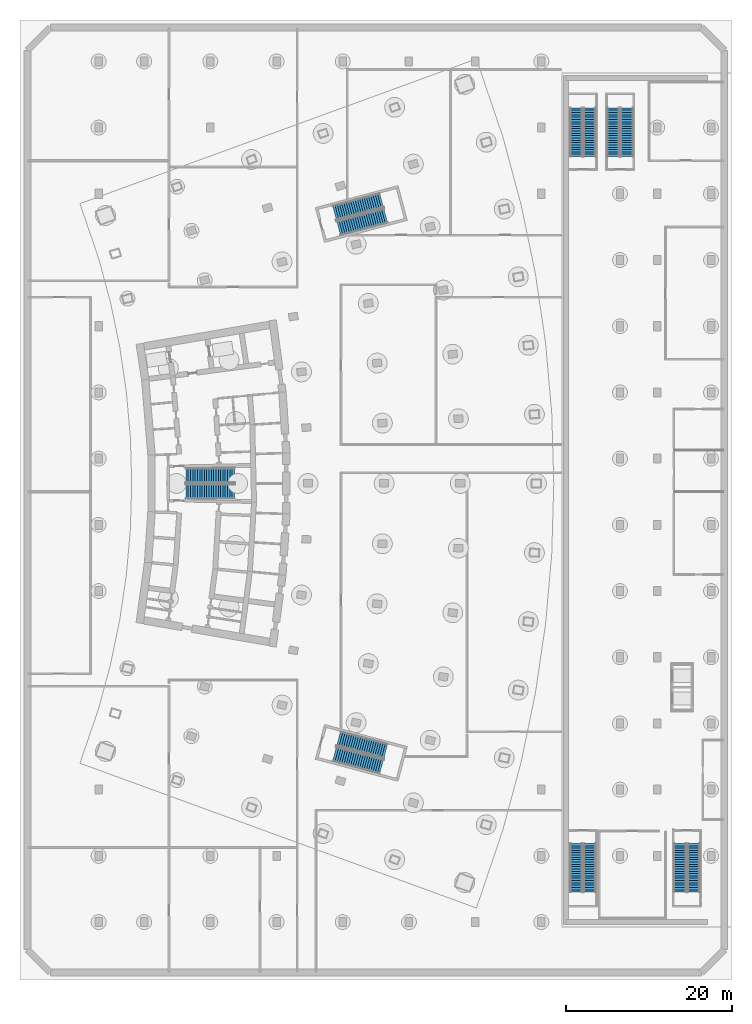
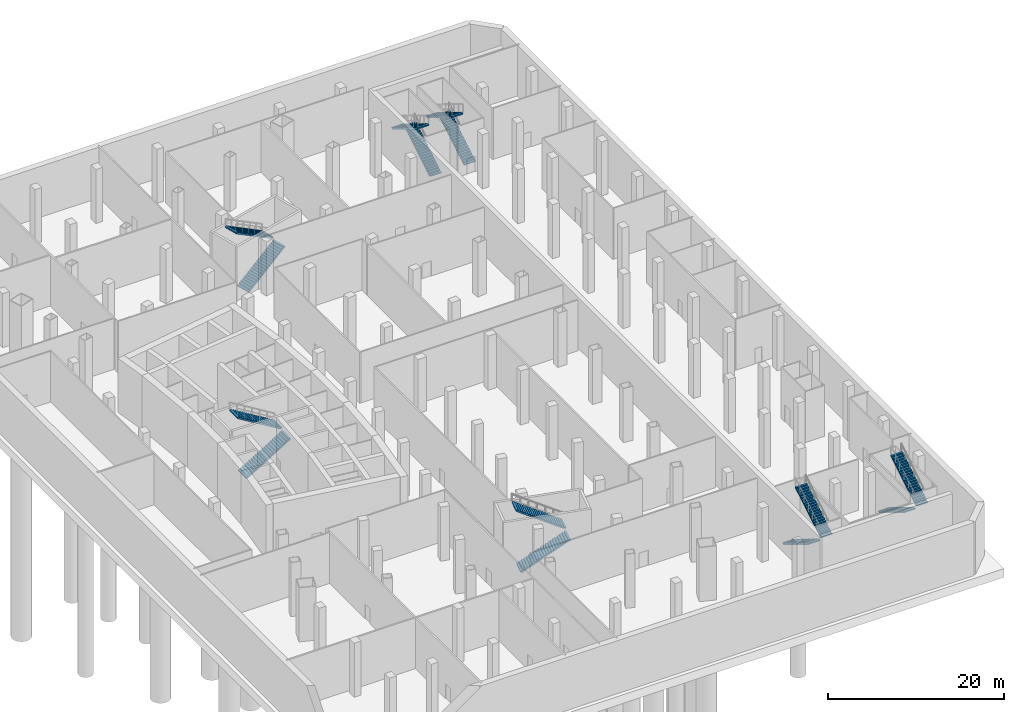
# One storey, part 14 of 19: 14 stair flights, 7 elements without a shape of their own.
"""IFC4 building model written with IfcOpenShell, lengths in metres."""

from ifc_helpers import new_model, si_unit, direction, frame, origin, place, context, subcontext, project, spatial, polyline, outline, extrude, material, layer, layer_set, type_object, element, aggregate, save


model = new_model("IFC4")

# Units and contexts
model_context = context("Model", 3, precision=1e-05, world=origin(), true_north=direction((0.0, 1.0)))
body_context = subcontext(model_context, "Body", "Model", "MODEL_VIEW")
ifc_project = project(units=[si_unit("LENGTHUNIT", "METRE"), si_unit("AREAUNIT", "SQUARE_METRE"), si_unit("VOLUMEUNIT", "CUBIC_METRE"), si_unit("PLANEANGLEUNIT", "RADIAN"), si_unit("MASSUNIT", "GRAM", prefix="KILO")], contexts=[model_context])

# Site, building, storey
site_placement = place(None, origin())
site = spatial("IfcSite", under=ifc_project, at=site_placement, CompositionType="ELEMENT")
building_placement = place(site_placement, origin())
building = spatial("IfcBuilding", under=site, at=building_placement, Name="Alderwake Tower", CompositionType="ELEMENT")
storey_placement = place(building_placement, frame((0.0, 0.0, -14.0)))
storey = spatial("IfcBuildingStorey", under=building, at=storey_placement, Name="B2", CompositionType="ELEMENT", Elevation=-14.0)

# Stair, stair flights
ifc_material_1 = material(Name="Concrete C40/50", Category="concrete")
stair_type_1 = type_object("IfcStairType", Name="Core exit stair", PredefinedType="HALF_TURN_STAIR", material=ifc_material_1)
stair_1_placement = place(storey_placement, origin())
stair_1 = element("IfcStair", 1, at=stair_1_placement, inside=storey, type_object=stair_type_1, Name="B2 Exit Stair B", PredefinedType="HALF_TURN_STAIR")
ifc_material_2 = material(Name="Concrete C40/50", Category="concrete")
ifc_layer = layer(ifc_material_2, 0.14990234375)
ifc_layer_set = layer_set([ifc_layer], Name="Core stair flight")
stair_flight_type = type_object("IfcStairFlightType", Name="Core stair flight", PredefinedType="STRAIGHT", material=ifc_layer_set)
stair_flight_1_placement = place(storey_placement, frame((21.0400390625, 60.02490234375, 0.0), z_axis=(0.0, 0.0, 1.0), x_axis=(1.0, 0.0, 0.0)))
stair_flight_1 = element("IfcStairFlight", 2, at=stair_flight_1_placement, type_object=stair_flight_type, Name="ST-B flight 1", NumberOfRisers=22, NumberOfTreads=21, PredefinedType="STRAIGHT", RiserHeight=0.170454545, TreadLength=0.28, context=body_context, shape_type="SweptSolid", body=[
    extrude(outline(polyline([(0.0, 0.0), (0.0, 0.17041015625), (0.280029296875, 0.17041015625), (0.280029296875, 0.3408203125), (0.56005859375, 0.3408203125), (0.56005859375, 0.511474609375), (0.840087890625, 0.511474609375), (0.840087890625, 0.681884765625), (1.1201171875, 0.681884765625), (1.1201171875, 0.852294921875), (1.39990234375, 0.852294921875), (1.39990234375, 1.022705078125), (1.679931640625, 1.022705078125), (1.679931640625, 1.193115234375), (1.9599609375, 1.193115234375), (1.9599609375, 1.363525390625), (2.239990234375, 1.363525390625), (2.239990234375, 1.5341796875), (2.52001953125, 1.5341796875), (2.52001953125, 1.70458984375), (2.800048828125, 1.70458984375), (2.800048828125, 1.875), (3.080078125, 1.875), (3.080078125, 2.04541015625), (3.360107421875, 2.04541015625), (3.360107421875, 2.2158203125), (3.639892578125, 2.2158203125), (3.639892578125, 2.386474609375), (3.919921875, 2.386474609375), (3.919921875, 2.556884765625), (4.199951171875, 2.556884765625), (4.199951171875, 2.727294921875), (4.47998046875, 2.727294921875), (4.47998046875, 2.897705078125), (4.760009765625, 2.897705078125), (4.760009765625, 3.068115234375), (5.0400390625, 3.068115234375), (5.0400390625, 3.238525390625), (5.320068359375, 3.238525390625), (5.320068359375, 3.4091796875), (5.60009765625, 3.4091796875), (5.60009765625, 3.57958984375), (5.8798828125, 3.57958984375), (5.8798828125, 3.75), (5.8798828125, 3.404052734375), (0.288330078125, 0.0), (0.0, 0.0)])), frame((0.0, 0.89990234375, 0.0), z_axis=(0.0, -1.0, 0.0), x_axis=(1.0, 0.0, 0.0)), (0.0, 0.0, 1.0), 1.800048828125),
])
stair_flight_2_placement = place(storey_placement, frame((26.919921875, 61.97509765625, 3.75), z_axis=(0.0, 0.0, 1.0), x_axis=(-1.0, 0.0, 0.0)))
stair_flight_2 = element("IfcStairFlight", 3, at=stair_flight_2_placement, type_object=stair_flight_type, Name="ST-B flight 2", NumberOfRisers=22, NumberOfTreads=21, PredefinedType="STRAIGHT", RiserHeight=0.170454545, TreadLength=0.28, context=body_context, shape_type="SweptSolid", body=[
    extrude(outline(polyline([(0.0, 0.0), (0.0, 0.17041015625), (0.280029296875, 0.17041015625), (0.280029296875, 0.3408203125), (0.56005859375, 0.3408203125), (0.56005859375, 0.511474609375), (0.840087890625, 0.511474609375), (0.840087890625, 0.681884765625), (1.1201171875, 0.681884765625), (1.1201171875, 0.852294921875), (1.39990234375, 0.852294921875), (1.39990234375, 1.022705078125), (1.679931640625, 1.022705078125), (1.679931640625, 1.193115234375), (1.9599609375, 1.193115234375), (1.9599609375, 1.363525390625), (2.239990234375, 1.363525390625), (2.239990234375, 1.5341796875), (2.52001953125, 1.5341796875), (2.52001953125, 1.70458984375), (2.800048828125, 1.70458984375), (2.800048828125, 1.875), (3.080078125, 1.875), (3.080078125, 2.04541015625), (3.360107421875, 2.04541015625), (3.360107421875, 2.2158203125), (3.639892578125, 2.2158203125), (3.639892578125, 2.386474609375), (3.919921875, 2.386474609375), (3.919921875, 2.556884765625), (4.199951171875, 2.556884765625), (4.199951171875, 2.727294921875), (4.47998046875, 2.727294921875), (4.47998046875, 2.897705078125), (4.760009765625, 2.897705078125), (4.760009765625, 3.068115234375), (5.0400390625, 3.068115234375), (5.0400390625, 3.238525390625), (5.320068359375, 3.238525390625), (5.320068359375, 3.4091796875), (5.60009765625, 3.4091796875), (5.60009765625, 3.57958984375), (5.8798828125, 3.57958984375), (5.8798828125, 3.75), (5.8798828125, 3.404052734375), (0.288330078125, 0.0), (0.0, 0.0)])), frame((0.0, 0.89990234375, 0.0), z_axis=(0.0, -1.0, 0.0), x_axis=(1.0, 0.0, 0.0)), (0.0, 0.0, 1.0), 1.800048828125),
])
aggregate(stair_1, [stair_flight_1, stair_flight_2])

stair_2_placement = place(storey_placement, origin())
stair_2 = element("IfcStair", 4, at=stair_2_placement, inside=storey, type_object=stair_type_1, Name="B2 Exit Stair A", PredefinedType="HALF_TURN_STAIR")
stair_flight_3_placement = place(storey_placement, frame((39.512939453125, 91.823974609375, 0.0), z_axis=(0.0, 0.0, 1.0), x_axis=(0.966309627437, 0.257382407951, 0.0)))
stair_flight_3 = element("IfcStairFlight", 5, at=stair_flight_3_placement, type_object=stair_flight_type, Name="ST-A flight 1", NumberOfRisers=22, NumberOfTreads=21, PredefinedType="STRAIGHT", RiserHeight=0.170454545, TreadLength=0.28, context=body_context, shape_type="SweptSolid", body=[
    extrude(outline(polyline([(0.0, 0.0), (0.0, 0.17041015625), (0.280029296875, 0.17041015625), (0.280029296875, 0.3408203125), (0.56005859375, 0.3408203125), (0.56005859375, 0.511474609375), (0.840087890625, 0.511474609375), (0.840087890625, 0.681884765625), (1.1201171875, 0.681884765625), (1.1201171875, 0.852294921875), (1.39990234375, 0.852294921875), (1.39990234375, 1.022705078125), (1.679931640625, 1.022705078125), (1.679931640625, 1.193115234375), (1.9599609375, 1.193115234375), (1.9599609375, 1.363525390625), (2.239990234375, 1.363525390625), (2.239990234375, 1.5341796875), (2.52001953125, 1.5341796875), (2.52001953125, 1.70458984375), (2.800048828125, 1.70458984375), (2.800048828125, 1.875), (3.080078125, 1.875), (3.080078125, 2.04541015625), (3.360107421875, 2.04541015625), (3.360107421875, 2.2158203125), (3.639892578125, 2.2158203125), (3.639892578125, 2.386474609375), (3.919921875, 2.386474609375), (3.919921875, 2.556884765625), (4.199951171875, 2.556884765625), (4.199951171875, 2.727294921875), (4.47998046875, 2.727294921875), (4.47998046875, 2.897705078125), (4.760009765625, 2.897705078125), (4.760009765625, 3.068115234375), (5.0400390625, 3.068115234375), (5.0400390625, 3.238525390625), (5.320068359375, 3.238525390625), (5.320068359375, 3.4091796875), (5.60009765625, 3.4091796875), (5.60009765625, 3.57958984375), (5.8798828125, 3.57958984375), (5.8798828125, 3.75), (5.8798828125, 3.404052734375), (0.288330078125, 0.0), (0.0, 0.0)])), frame((0.0, 0.89990234375, 0.0), z_axis=(0.0, -1.0, 0.0), x_axis=(1.0, 0.0, 0.0)), (0.0, 0.0, 1.0), 1.800048828125),
])
stair_flight_4_placement = place(storey_placement, frame((44.69287109375, 95.2216796875, 3.75), z_axis=(0.0, 0.0, 1.0), x_axis=(-0.966309627437, -0.257382407951, 0.0)))
stair_flight_4 = element("IfcStairFlight", 6, at=stair_flight_4_placement, type_object=stair_flight_type, Name="ST-A flight 2", NumberOfRisers=22, NumberOfTreads=21, PredefinedType="STRAIGHT", RiserHeight=0.170454545, TreadLength=0.28, context=body_context, shape_type="SweptSolid", body=[
    extrude(outline(polyline([(0.0, 0.0), (0.0, 0.17041015625), (0.280029296875, 0.17041015625), (0.280029296875, 0.3408203125), (0.56005859375, 0.3408203125), (0.56005859375, 0.511474609375), (0.840087890625, 0.511474609375), (0.840087890625, 0.681884765625), (1.1201171875, 0.681884765625), (1.1201171875, 0.852294921875), (1.39990234375, 0.852294921875), (1.39990234375, 1.022705078125), (1.679931640625, 1.022705078125), (1.679931640625, 1.193115234375), (1.9599609375, 1.193115234375), (1.9599609375, 1.363525390625), (2.239990234375, 1.363525390625), (2.239990234375, 1.5341796875), (2.52001953125, 1.5341796875), (2.52001953125, 1.70458984375), (2.800048828125, 1.70458984375), (2.800048828125, 1.875), (3.080078125, 1.875), (3.080078125, 2.04541015625), (3.360107421875, 2.04541015625), (3.360107421875, 2.2158203125), (3.639892578125, 2.2158203125), (3.639892578125, 2.386474609375), (3.919921875, 2.386474609375), (3.919921875, 2.556884765625), (4.199951171875, 2.556884765625), (4.199951171875, 2.727294921875), (4.47998046875, 2.727294921875), (4.47998046875, 2.897705078125), (4.760009765625, 2.897705078125), (4.760009765625, 3.068115234375), (5.0400390625, 3.068115234375), (5.0400390625, 3.238525390625), (5.320068359375, 3.238525390625), (5.320068359375, 3.4091796875), (5.60009765625, 3.4091796875), (5.60009765625, 3.57958984375), (5.8798828125, 3.57958984375), (5.8798828125, 3.75), (5.8798828125, 3.404052734375), (0.288330078125, 0.0), (0.0, 0.0)])), frame((0.0, 0.89990234375, 0.0), z_axis=(0.0, -1.0, 0.0), x_axis=(1.0, 0.0, 0.0)), (0.0, 0.0, 1.0), 1.800048828125),
])
aggregate(stair_2, [stair_flight_3, stair_flight_4])

stair_3_placement = place(storey_placement, origin())
stair_3 = element("IfcStair", 7, at=stair_3_placement, inside=storey, type_object=stair_type_1, Name="B2 Exit Stair C", PredefinedType="HALF_TURN_STAIR")
stair_flight_5_placement = place(storey_placement, frame((39.010986328125, 28.291748046875, 0.0), z_axis=(0.0, 0.0, 1.0), x_axis=(0.966309627437, -0.257382407951, 0.0)))
stair_flight_5 = element("IfcStairFlight", 8, at=stair_flight_5_placement, type_object=stair_flight_type, Name="ST-C flight 1", NumberOfRisers=22, NumberOfTreads=21, PredefinedType="STRAIGHT", RiserHeight=0.170454545, TreadLength=0.28, context=body_context, shape_type="SweptSolid", body=[
    extrude(outline(polyline([(0.0, 0.0), (0.0, 0.17041015625), (0.280029296875, 0.17041015625), (0.280029296875, 0.3408203125), (0.56005859375, 0.3408203125), (0.56005859375, 0.511474609375), (0.840087890625, 0.511474609375), (0.840087890625, 0.681884765625), (1.1201171875, 0.681884765625), (1.1201171875, 0.852294921875), (1.39990234375, 0.852294921875), (1.39990234375, 1.022705078125), (1.679931640625, 1.022705078125), (1.679931640625, 1.193115234375), (1.9599609375, 1.193115234375), (1.9599609375, 1.363525390625), (2.239990234375, 1.363525390625), (2.239990234375, 1.5341796875), (2.52001953125, 1.5341796875), (2.52001953125, 1.70458984375), (2.800048828125, 1.70458984375), (2.800048828125, 1.875), (3.080078125, 1.875), (3.080078125, 2.04541015625), (3.360107421875, 2.04541015625), (3.360107421875, 2.2158203125), (3.639892578125, 2.2158203125), (3.639892578125, 2.386474609375), (3.919921875, 2.386474609375), (3.919921875, 2.556884765625), (4.199951171875, 2.556884765625), (4.199951171875, 2.727294921875), (4.47998046875, 2.727294921875), (4.47998046875, 2.897705078125), (4.760009765625, 2.897705078125), (4.760009765625, 3.068115234375), (5.0400390625, 3.068115234375), (5.0400390625, 3.238525390625), (5.320068359375, 3.238525390625), (5.320068359375, 3.4091796875), (5.60009765625, 3.4091796875), (5.60009765625, 3.57958984375), (5.8798828125, 3.57958984375), (5.8798828125, 3.75), (5.8798828125, 3.404052734375), (0.288330078125, 0.0), (0.0, 0.0)])), frame((0.0, 0.89990234375, 0.0), z_axis=(0.0, -1.0, 0.0), x_axis=(1.0, 0.0, 0.0)), (0.0, 0.0, 1.0), 1.800048828125),
])
stair_flight_6_placement = place(storey_placement, frame((45.19482421875, 28.66259765625, 3.75), z_axis=(0.0, 0.0, 1.0), x_axis=(-0.966309627437, 0.257382407951, 0.0)))
stair_flight_6 = element("IfcStairFlight", 9, at=stair_flight_6_placement, type_object=stair_flight_type, Name="ST-C flight 2", NumberOfRisers=22, NumberOfTreads=21, PredefinedType="STRAIGHT", RiserHeight=0.170454545, TreadLength=0.28, context=body_context, shape_type="SweptSolid", body=[
    extrude(outline(polyline([(0.0, 0.0), (0.0, 0.17041015625), (0.280029296875, 0.17041015625), (0.280029296875, 0.3408203125), (0.56005859375, 0.3408203125), (0.56005859375, 0.511474609375), (0.840087890625, 0.511474609375), (0.840087890625, 0.681884765625), (1.1201171875, 0.681884765625), (1.1201171875, 0.852294921875), (1.39990234375, 0.852294921875), (1.39990234375, 1.022705078125), (1.679931640625, 1.022705078125), (1.679931640625, 1.193115234375), (1.9599609375, 1.193115234375), (1.9599609375, 1.363525390625), (2.239990234375, 1.363525390625), (2.239990234375, 1.5341796875), (2.52001953125, 1.5341796875), (2.52001953125, 1.70458984375), (2.800048828125, 1.70458984375), (2.800048828125, 1.875), (3.080078125, 1.875), (3.080078125, 2.04541015625), (3.360107421875, 2.04541015625), (3.360107421875, 2.2158203125), (3.639892578125, 2.2158203125), (3.639892578125, 2.386474609375), (3.919921875, 2.386474609375), (3.919921875, 2.556884765625), (4.199951171875, 2.556884765625), (4.199951171875, 2.727294921875), (4.47998046875, 2.727294921875), (4.47998046875, 2.897705078125), (4.760009765625, 2.897705078125), (4.760009765625, 3.068115234375), (5.0400390625, 3.068115234375), (5.0400390625, 3.238525390625), (5.320068359375, 3.238525390625), (5.320068359375, 3.4091796875), (5.60009765625, 3.4091796875), (5.60009765625, 3.57958984375), (5.8798828125, 3.57958984375), (5.8798828125, 3.75), (5.8798828125, 3.404052734375), (0.288330078125, 0.0), (0.0, 0.0)])), frame((0.0, 0.89990234375, 0.0), z_axis=(0.0, -1.0, 0.0), x_axis=(1.0, 0.0, 0.0)), (0.0, 0.0, 1.0), 1.800048828125),
])
aggregate(stair_3, [stair_flight_5, stair_flight_6])

ifc_material_3 = material(Name="Concrete C40/50", Category="concrete")
stair_type_2 = type_object("IfcStairType", Name="Exit stair 1500 half-turn", PredefinedType="HALF_TURN_STAIR", material=ifc_material_3)
stair_4_placement = place(storey_placement, origin())
stair_4 = element("IfcStair", 10, at=stair_4_placement, inside=storey, type_object=stair_type_2, Name="B2 Station stair S1", PredefinedType="HALF_TURN_STAIR")
stair_flight_7_placement = place(storey_placement, frame((68.199951171875, 17.5, 0.0), z_axis=(0.0, 0.0, 1.0), x_axis=(0.0, -1.0, 0.0)))
stair_flight_7 = element("IfcStairFlight", 11, at=stair_flight_7_placement, type_object=stair_flight_type, Name="ST-S1 flight 1", NumberOfRisers=22, NumberOfTreads=21, PredefinedType="STRAIGHT", RiserHeight=0.170454545, TreadLength=0.28, context=body_context, shape_type="SweptSolid", body=[
    extrude(outline(polyline([(0.0, 0.0), (0.0, 0.17041015625), (0.280029296875, 0.17041015625), (0.280029296875, 0.3408203125), (0.56005859375, 0.3408203125), (0.56005859375, 0.511474609375), (0.840087890625, 0.511474609375), (0.840087890625, 0.681884765625), (1.1201171875, 0.681884765625), (1.1201171875, 0.852294921875), (1.39990234375, 0.852294921875), (1.39990234375, 1.022705078125), (1.679931640625, 1.022705078125), (1.679931640625, 1.193115234375), (1.9599609375, 1.193115234375), (1.9599609375, 1.363525390625), (2.239990234375, 1.363525390625), (2.239990234375, 1.5341796875), (2.52001953125, 1.5341796875), (2.52001953125, 1.70458984375), (2.800048828125, 1.70458984375), (2.800048828125, 1.875), (3.080078125, 1.875), (3.080078125, 2.04541015625), (3.360107421875, 2.04541015625), (3.360107421875, 2.2158203125), (3.639892578125, 2.2158203125), (3.639892578125, 2.386474609375), (3.919921875, 2.386474609375), (3.919921875, 2.556884765625), (4.199951171875, 2.556884765625), (4.199951171875, 2.727294921875), (4.47998046875, 2.727294921875), (4.47998046875, 2.897705078125), (4.760009765625, 2.897705078125), (4.760009765625, 3.068115234375), (5.0400390625, 3.068115234375), (5.0400390625, 3.238525390625), (5.320068359375, 3.238525390625), (5.320068359375, 3.4091796875), (5.60009765625, 3.4091796875), (5.60009765625, 3.57958984375), (5.8798828125, 3.57958984375), (5.8798828125, 3.75), (5.8798828125, 3.404052734375), (0.288330078125, 0.0), (0.0, 0.0)])), frame((0.0, 0.75, 0.0), z_axis=(0.0, -1.0, 0.0), x_axis=(1.0, 0.0, 0.0)), (0.0, 0.0, 1.0), 1.5),
])
stair_flight_8_placement = place(storey_placement, frame((69.85009765625, 11.6201171875, 3.75), z_axis=(0.0, 0.0, 1.0), x_axis=(0.0, 1.0, 0.0)))
stair_flight_8 = element("IfcStairFlight", 12, at=stair_flight_8_placement, type_object=stair_flight_type, Name="ST-S1 flight 2", NumberOfRisers=22, NumberOfTreads=21, PredefinedType="STRAIGHT", RiserHeight=0.170454545, TreadLength=0.28, context=body_context, shape_type="SweptSolid", body=[
    extrude(outline(polyline([(0.0, 0.0), (0.0, 0.17041015625), (0.280029296875, 0.17041015625), (0.280029296875, 0.3408203125), (0.56005859375, 0.3408203125), (0.56005859375, 0.511474609375), (0.840087890625, 0.511474609375), (0.840087890625, 0.681884765625), (1.1201171875, 0.681884765625), (1.1201171875, 0.852294921875), (1.39990234375, 0.852294921875), (1.39990234375, 1.022705078125), (1.679931640625, 1.022705078125), (1.679931640625, 1.193115234375), (1.9599609375, 1.193115234375), (1.9599609375, 1.363525390625), (2.239990234375, 1.363525390625), (2.239990234375, 1.5341796875), (2.52001953125, 1.5341796875), (2.52001953125, 1.70458984375), (2.800048828125, 1.70458984375), (2.800048828125, 1.875), (3.080078125, 1.875), (3.080078125, 2.04541015625), (3.360107421875, 2.04541015625), (3.360107421875, 2.2158203125), (3.639892578125, 2.2158203125), (3.639892578125, 2.386474609375), (3.919921875, 2.386474609375), (3.919921875, 2.556884765625), (4.199951171875, 2.556884765625), (4.199951171875, 2.727294921875), (4.47998046875, 2.727294921875), (4.47998046875, 2.897705078125), (4.760009765625, 2.897705078125), (4.760009765625, 3.068115234375), (5.0400390625, 3.068115234375), (5.0400390625, 3.238525390625), (5.320068359375, 3.238525390625), (5.320068359375, 3.4091796875), (5.60009765625, 3.4091796875), (5.60009765625, 3.57958984375), (5.8798828125, 3.57958984375), (5.8798828125, 3.75), (5.8798828125, 3.404052734375), (0.288330078125, 0.0), (0.0, 0.0)])), frame((0.0, 0.75, 0.0), z_axis=(0.0, -1.0, 0.0), x_axis=(1.0, 0.0, 0.0)), (0.0, 0.0, 1.0), 1.5),
])
aggregate(stair_4, [stair_flight_7, stair_flight_8])

stair_5_placement = place(storey_placement, origin())
stair_5 = element("IfcStair", 13, at=stair_5_placement, inside=storey, type_object=stair_type_2, Name="B2 Station stair S2", PredefinedType="HALF_TURN_STAIR")
stair_flight_9_placement = place(storey_placement, frame((80.75, 17.5, 0.0), z_axis=(0.0, 0.0, 1.0), x_axis=(0.0, -1.0, 0.0)))
stair_flight_9 = element("IfcStairFlight", 14, at=stair_flight_9_placement, type_object=stair_flight_type, Name="ST-S2 flight 1", NumberOfRisers=22, NumberOfTreads=21, PredefinedType="STRAIGHT", RiserHeight=0.170454545, TreadLength=0.28, context=body_context, shape_type="SweptSolid", body=[
    extrude(outline(polyline([(0.0, 0.0), (0.0, 0.17041015625), (0.280029296875, 0.17041015625), (0.280029296875, 0.3408203125), (0.56005859375, 0.3408203125), (0.56005859375, 0.511474609375), (0.840087890625, 0.511474609375), (0.840087890625, 0.681884765625), (1.1201171875, 0.681884765625), (1.1201171875, 0.852294921875), (1.39990234375, 0.852294921875), (1.39990234375, 1.022705078125), (1.679931640625, 1.022705078125), (1.679931640625, 1.193115234375), (1.9599609375, 1.193115234375), (1.9599609375, 1.363525390625), (2.239990234375, 1.363525390625), (2.239990234375, 1.5341796875), (2.52001953125, 1.5341796875), (2.52001953125, 1.70458984375), (2.800048828125, 1.70458984375), (2.800048828125, 1.875), (3.080078125, 1.875), (3.080078125, 2.04541015625), (3.360107421875, 2.04541015625), (3.360107421875, 2.2158203125), (3.639892578125, 2.2158203125), (3.639892578125, 2.386474609375), (3.919921875, 2.386474609375), (3.919921875, 2.556884765625), (4.199951171875, 2.556884765625), (4.199951171875, 2.727294921875), (4.47998046875, 2.727294921875), (4.47998046875, 2.897705078125), (4.760009765625, 2.897705078125), (4.760009765625, 3.068115234375), (5.0400390625, 3.068115234375), (5.0400390625, 3.238525390625), (5.320068359375, 3.238525390625), (5.320068359375, 3.4091796875), (5.60009765625, 3.4091796875), (5.60009765625, 3.57958984375), (5.8798828125, 3.57958984375), (5.8798828125, 3.75), (5.8798828125, 3.404052734375), (0.288330078125, 0.0), (0.0, 0.0)])), frame((0.0, 0.75, 0.0), z_axis=(0.0, -1.0, 0.0), x_axis=(1.0, 0.0, 0.0)), (0.0, 0.0, 1.0), 1.5),
])
stair_flight_10_placement = place(storey_placement, frame((82.39990234375, 11.6201171875, 3.75), z_axis=(0.0, 0.0, 1.0), x_axis=(0.0, 1.0, 0.0)))
stair_flight_10 = element("IfcStairFlight", 15, at=stair_flight_10_placement, type_object=stair_flight_type, Name="ST-S2 flight 2", NumberOfRisers=22, NumberOfTreads=21, PredefinedType="STRAIGHT", RiserHeight=0.170454545, TreadLength=0.28, context=body_context, shape_type="SweptSolid", body=[
    extrude(outline(polyline([(0.0, 0.0), (0.0, 0.17041015625), (0.280029296875, 0.17041015625), (0.280029296875, 0.3408203125), (0.56005859375, 0.3408203125), (0.56005859375, 0.511474609375), (0.840087890625, 0.511474609375), (0.840087890625, 0.681884765625), (1.1201171875, 0.681884765625), (1.1201171875, 0.852294921875), (1.39990234375, 0.852294921875), (1.39990234375, 1.022705078125), (1.679931640625, 1.022705078125), (1.679931640625, 1.193115234375), (1.9599609375, 1.193115234375), (1.9599609375, 1.363525390625), (2.239990234375, 1.363525390625), (2.239990234375, 1.5341796875), (2.52001953125, 1.5341796875), (2.52001953125, 1.70458984375), (2.800048828125, 1.70458984375), (2.800048828125, 1.875), (3.080078125, 1.875), (3.080078125, 2.04541015625), (3.360107421875, 2.04541015625), (3.360107421875, 2.2158203125), (3.639892578125, 2.2158203125), (3.639892578125, 2.386474609375), (3.919921875, 2.386474609375), (3.919921875, 2.556884765625), (4.199951171875, 2.556884765625), (4.199951171875, 2.727294921875), (4.47998046875, 2.727294921875), (4.47998046875, 2.897705078125), (4.760009765625, 2.897705078125), (4.760009765625, 3.068115234375), (5.0400390625, 3.068115234375), (5.0400390625, 3.238525390625), (5.320068359375, 3.238525390625), (5.320068359375, 3.4091796875), (5.60009765625, 3.4091796875), (5.60009765625, 3.57958984375), (5.8798828125, 3.57958984375), (5.8798828125, 3.75), (5.8798828125, 3.404052734375), (0.288330078125, 0.0), (0.0, 0.0)])), frame((0.0, 0.75, 0.0), z_axis=(0.0, -1.0, 0.0), x_axis=(1.0, 0.0, 0.0)), (0.0, 0.0, 1.0), 1.5),
])
aggregate(stair_5, [stair_flight_9, stair_flight_10])

stair_6_placement = place(storey_placement, origin())
stair_6 = element("IfcStair", 16, at=stair_6_placement, inside=storey, type_object=stair_type_2, Name="B2 Station stair S3", PredefinedType="HALF_TURN_STAIR")
stair_flight_11_placement = place(storey_placement, frame((69.85009765625, 100.5, 0.0), z_axis=(0.0, 0.0, 1.0), x_axis=(0.0, 1.0, 0.0)))
stair_flight_11 = element("IfcStairFlight", 17, at=stair_flight_11_placement, type_object=stair_flight_type, Name="ST-S3 flight 1", NumberOfRisers=22, NumberOfTreads=21, PredefinedType="STRAIGHT", RiserHeight=0.170454545, TreadLength=0.28, context=body_context, shape_type="SweptSolid", body=[
    extrude(outline(polyline([(0.0, 0.0), (0.0, 0.17041015625), (0.280029296875, 0.17041015625), (0.280029296875, 0.3408203125), (0.56005859375, 0.3408203125), (0.56005859375, 0.511474609375), (0.840087890625, 0.511474609375), (0.840087890625, 0.681884765625), (1.1201171875, 0.681884765625), (1.1201171875, 0.852294921875), (1.39990234375, 0.852294921875), (1.39990234375, 1.022705078125), (1.679931640625, 1.022705078125), (1.679931640625, 1.193115234375), (1.9599609375, 1.193115234375), (1.9599609375, 1.363525390625), (2.239990234375, 1.363525390625), (2.239990234375, 1.5341796875), (2.52001953125, 1.5341796875), (2.52001953125, 1.70458984375), (2.800048828125, 1.70458984375), (2.800048828125, 1.875), (3.080078125, 1.875), (3.080078125, 2.04541015625), (3.360107421875, 2.04541015625), (3.360107421875, 2.2158203125), (3.639892578125, 2.2158203125), (3.639892578125, 2.386474609375), (3.919921875, 2.386474609375), (3.919921875, 2.556884765625), (4.199951171875, 2.556884765625), (4.199951171875, 2.727294921875), (4.47998046875, 2.727294921875), (4.47998046875, 2.897705078125), (4.760009765625, 2.897705078125), (4.760009765625, 3.068115234375), (5.0400390625, 3.068115234375), (5.0400390625, 3.238525390625), (5.320068359375, 3.238525390625), (5.320068359375, 3.4091796875), (5.60009765625, 3.4091796875), (5.60009765625, 3.57958984375), (5.8798828125, 3.57958984375), (5.8798828125, 3.75), (5.8798828125, 3.404052734375), (0.288330078125, 0.0), (0.0, 0.0)])), frame((0.0, 0.75, 0.0), z_axis=(0.0, -1.0, 0.0), x_axis=(1.0, 0.0, 0.0)), (0.0, 0.0, 1.0), 1.5),
])
stair_flight_12_placement = place(storey_placement, frame((68.199951171875, 106.3798828125, 3.75), z_axis=(0.0, 0.0, 1.0), x_axis=(0.0, -1.0, 0.0)))
stair_flight_12 = element("IfcStairFlight", 18, at=stair_flight_12_placement, type_object=stair_flight_type, Name="ST-S3 flight 2", NumberOfRisers=22, NumberOfTreads=21, PredefinedType="STRAIGHT", RiserHeight=0.170454545, TreadLength=0.28, context=body_context, shape_type="SweptSolid", body=[
    extrude(outline(polyline([(0.0, 0.0), (0.0, 0.17041015625), (0.280029296875, 0.17041015625), (0.280029296875, 0.3408203125), (0.56005859375, 0.3408203125), (0.56005859375, 0.511474609375), (0.840087890625, 0.511474609375), (0.840087890625, 0.681884765625), (1.1201171875, 0.681884765625), (1.1201171875, 0.852294921875), (1.39990234375, 0.852294921875), (1.39990234375, 1.022705078125), (1.679931640625, 1.022705078125), (1.679931640625, 1.193115234375), (1.9599609375, 1.193115234375), (1.9599609375, 1.363525390625), (2.239990234375, 1.363525390625), (2.239990234375, 1.5341796875), (2.52001953125, 1.5341796875), (2.52001953125, 1.70458984375), (2.800048828125, 1.70458984375), (2.800048828125, 1.875), (3.080078125, 1.875), (3.080078125, 2.04541015625), (3.360107421875, 2.04541015625), (3.360107421875, 2.2158203125), (3.639892578125, 2.2158203125), (3.639892578125, 2.386474609375), (3.919921875, 2.386474609375), (3.919921875, 2.556884765625), (4.199951171875, 2.556884765625), (4.199951171875, 2.727294921875), (4.47998046875, 2.727294921875), (4.47998046875, 2.897705078125), (4.760009765625, 2.897705078125), (4.760009765625, 3.068115234375), (5.0400390625, 3.068115234375), (5.0400390625, 3.238525390625), (5.320068359375, 3.238525390625), (5.320068359375, 3.4091796875), (5.60009765625, 3.4091796875), (5.60009765625, 3.57958984375), (5.8798828125, 3.57958984375), (5.8798828125, 3.75), (5.8798828125, 3.404052734375), (0.288330078125, 0.0), (0.0, 0.0)])), frame((0.0, 0.75, 0.0), z_axis=(0.0, -1.0, 0.0), x_axis=(1.0, 0.0, 0.0)), (0.0, 0.0, 1.0), 1.5),
])
aggregate(stair_6, [stair_flight_11, stair_flight_12])

stair_7_placement = place(storey_placement, origin())
stair_7 = element("IfcStair", 19, at=stair_7_placement, inside=storey, type_object=stair_type_2, Name="B2 Station stair S4", PredefinedType="HALF_TURN_STAIR")
stair_flight_13_placement = place(storey_placement, frame((74.35009765625, 100.5, 0.0), z_axis=(0.0, 0.0, 1.0), x_axis=(0.0, 1.0, 0.0)))
stair_flight_13 = element("IfcStairFlight", 20, at=stair_flight_13_placement, type_object=stair_flight_type, Name="ST-S4 flight 1", NumberOfRisers=22, NumberOfTreads=21, PredefinedType="STRAIGHT", RiserHeight=0.170454545, TreadLength=0.28, context=body_context, shape_type="SweptSolid", body=[
    extrude(outline(polyline([(0.0, 0.0), (0.0, 0.17041015625), (0.280029296875, 0.17041015625), (0.280029296875, 0.3408203125), (0.56005859375, 0.3408203125), (0.56005859375, 0.511474609375), (0.840087890625, 0.511474609375), (0.840087890625, 0.681884765625), (1.1201171875, 0.681884765625), (1.1201171875, 0.852294921875), (1.39990234375, 0.852294921875), (1.39990234375, 1.022705078125), (1.679931640625, 1.022705078125), (1.679931640625, 1.193115234375), (1.9599609375, 1.193115234375), (1.9599609375, 1.363525390625), (2.239990234375, 1.363525390625), (2.239990234375, 1.5341796875), (2.52001953125, 1.5341796875), (2.52001953125, 1.70458984375), (2.800048828125, 1.70458984375), (2.800048828125, 1.875), (3.080078125, 1.875), (3.080078125, 2.04541015625), (3.360107421875, 2.04541015625), (3.360107421875, 2.2158203125), (3.639892578125, 2.2158203125), (3.639892578125, 2.386474609375), (3.919921875, 2.386474609375), (3.919921875, 2.556884765625), (4.199951171875, 2.556884765625), (4.199951171875, 2.727294921875), (4.47998046875, 2.727294921875), (4.47998046875, 2.897705078125), (4.760009765625, 2.897705078125), (4.760009765625, 3.068115234375), (5.0400390625, 3.068115234375), (5.0400390625, 3.238525390625), (5.320068359375, 3.238525390625), (5.320068359375, 3.4091796875), (5.60009765625, 3.4091796875), (5.60009765625, 3.57958984375), (5.8798828125, 3.57958984375), (5.8798828125, 3.75), (5.8798828125, 3.404052734375), (0.288330078125, 0.0), (0.0, 0.0)])), frame((0.0, 0.75, 0.0), z_axis=(0.0, -1.0, 0.0), x_axis=(1.0, 0.0, 0.0)), (0.0, 0.0, 1.0), 1.5),
])
stair_flight_14_placement = place(storey_placement, frame((72.699951171875, 106.3798828125, 3.75), z_axis=(0.0, 0.0, 1.0), x_axis=(0.0, -1.0, 0.0)))
stair_flight_14 = element("IfcStairFlight", 21, at=stair_flight_14_placement, type_object=stair_flight_type, Name="ST-S4 flight 2", NumberOfRisers=22, NumberOfTreads=21, PredefinedType="STRAIGHT", RiserHeight=0.170454545, TreadLength=0.28, context=body_context, shape_type="SweptSolid", body=[
    extrude(outline(polyline([(0.0, 0.0), (0.0, 0.17041015625), (0.280029296875, 0.17041015625), (0.280029296875, 0.3408203125), (0.56005859375, 0.3408203125), (0.56005859375, 0.511474609375), (0.840087890625, 0.511474609375), (0.840087890625, 0.681884765625), (1.1201171875, 0.681884765625), (1.1201171875, 0.852294921875), (1.39990234375, 0.852294921875), (1.39990234375, 1.022705078125), (1.679931640625, 1.022705078125), (1.679931640625, 1.193115234375), (1.9599609375, 1.193115234375), (1.9599609375, 1.363525390625), (2.239990234375, 1.363525390625), (2.239990234375, 1.5341796875), (2.52001953125, 1.5341796875), (2.52001953125, 1.70458984375), (2.800048828125, 1.70458984375), (2.800048828125, 1.875), (3.080078125, 1.875), (3.080078125, 2.04541015625), (3.360107421875, 2.04541015625), (3.360107421875, 2.2158203125), (3.639892578125, 2.2158203125), (3.639892578125, 2.386474609375), (3.919921875, 2.386474609375), (3.919921875, 2.556884765625), (4.199951171875, 2.556884765625), (4.199951171875, 2.727294921875), (4.47998046875, 2.727294921875), (4.47998046875, 2.897705078125), (4.760009765625, 2.897705078125), (4.760009765625, 3.068115234375), (5.0400390625, 3.068115234375), (5.0400390625, 3.238525390625), (5.320068359375, 3.238525390625), (5.320068359375, 3.4091796875), (5.60009765625, 3.4091796875), (5.60009765625, 3.57958984375), (5.8798828125, 3.57958984375), (5.8798828125, 3.75), (5.8798828125, 3.404052734375), (0.288330078125, 0.0), (0.0, 0.0)])), frame((0.0, 0.75, 0.0), z_axis=(0.0, -1.0, 0.0), x_axis=(1.0, 0.0, 0.0)), (0.0, 0.0, 1.0), 1.5),
])
aggregate(stair_7, [stair_flight_13, stair_flight_14])

save(model, "model.ifc")
